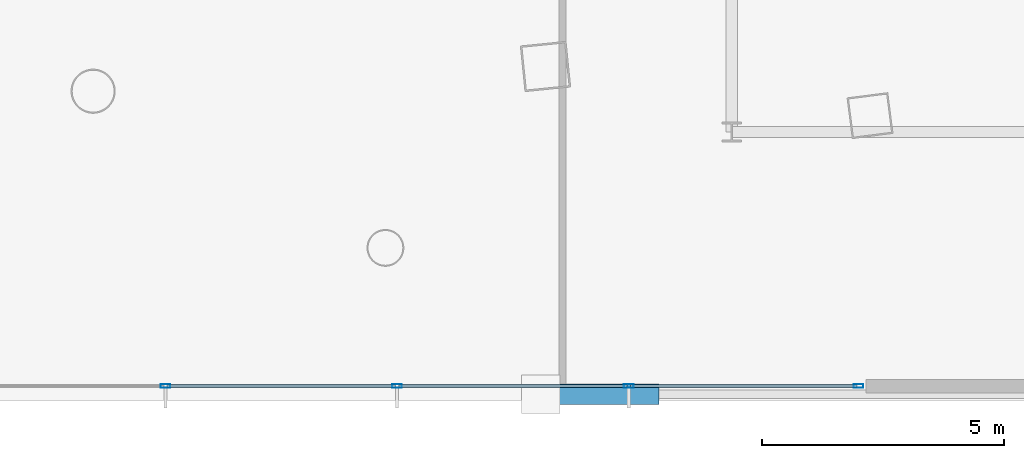
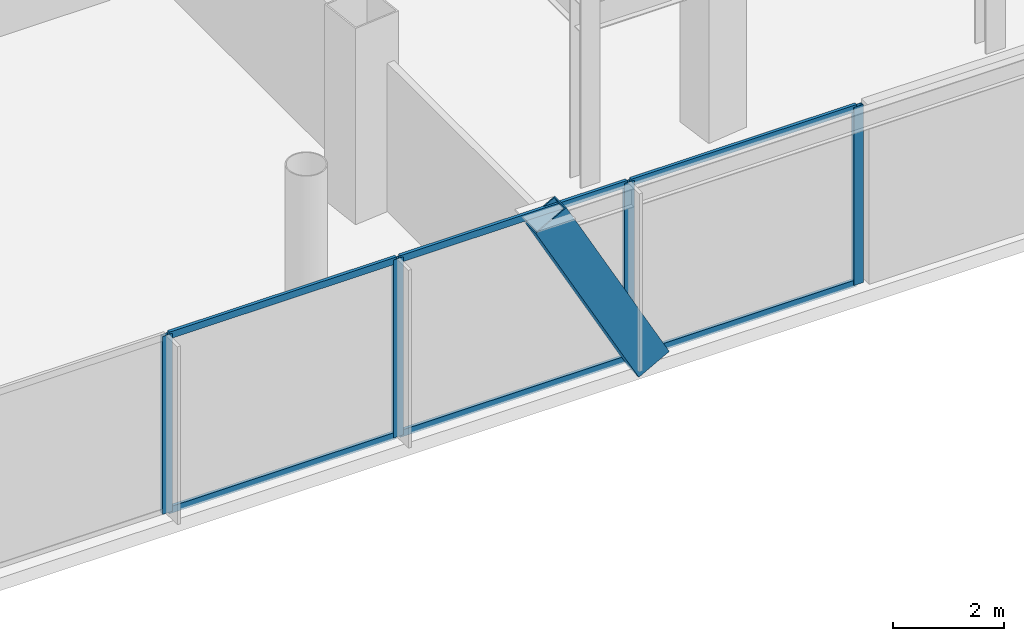
# One storey, part 13 of 46: 11 members, 1 element without a shape of its own.
"""IFC4 building model written with IfcOpenShell, lengths in metres."""

from ifc_helpers import new_model, si_unit, direction, frame, origin, origin_2d, place, context, subcontext, project, spatial, hollow_rectangle, extrude, material, layer, layer_set, material_profile, profile_set, type_object, element, aggregate, save


model = new_model("IFC4")

# Units and contexts
model_context = context("Model", 3, precision=1e-05, world=origin(), true_north=direction((0.0, 1.0)))
body_context = subcontext(model_context, "Body", "Model", "MODEL_VIEW")
ifc_project = project(units=[si_unit("LENGTHUNIT", "METRE"), si_unit("AREAUNIT", "SQUARE_METRE"), si_unit("VOLUMEUNIT", "CUBIC_METRE"), si_unit("PLANEANGLEUNIT", "RADIAN"), si_unit("MASSUNIT", "GRAM", prefix="KILO")], contexts=[model_context])

# Site, building, storey
site_placement = place(None, origin())
site = spatial("IfcSite", under=ifc_project, at=site_placement, CompositionType="ELEMENT")
building_placement = place(site_placement, origin())
building = spatial("IfcBuilding", under=site, at=building_placement, Name="Orvanel Arch Residences", CompositionType="ELEMENT")
storey_placement = place(building_placement, frame((0.0, 0.0, 14.10009765625)))
storey = spatial("IfcBuildingStorey", under=building, at=storey_placement, Name="L03", CompositionType="ELEMENT", Elevation=14.10009765625)

# Member
ifc_material_1 = material(Name="Structural steel AS/NZS 3678 Grade 350", Category="steel")
ifc_material_profile_1 = material_profile(ifc_material_1, hollow_rectangle(XDim=0.419921875, YDim=0.719970703125, WallThickness=0.02490234375, at=origin_2d()), Name="RHS720x420x25")
ifc_profile_set_1 = profile_set([ifc_material_profile_1], Name="Structural steel AS/NZS 3678 Grade 350")
member_type_1 = type_object("IfcMemberType", Name="BR-720RHS-EXT", PredefinedType="BRACE", material=ifc_profile_set_1)
member_1_placement = place(storey_placement, frame((44.384033203125, 0.580078125, 0.0), z_axis=(-0.480032945873, 0.0, 0.877250460745), x_axis=(0.0, -1.0, 0.0)))
element("IfcMember", 1, at=member_1_placement, inside=storey, type_object=member_type_1, Name="L03 Podium Multi-Storey V-Strut Pair SE Leg 1", PredefinedType="BRACE", context=body_context, shape_type="SweptSolid", body=[
    extrude(hollow_rectangle(XDim=0.419921875, YDim=0.719970703125, WallThickness=0.02490234375, at=origin_2d()), origin(), (0.0, 0.0, 1.0), 4.445556640625),
])

# Curtain wall, members
ifc_material_2 = material(Name="Bronze-anodised aluminium AA6063-T6", Category="aluminium")
ifc_layer = layer(ifc_material_2, 0.199951171875)
ifc_layer_set = layer_set([ifc_layer], Name="Bronze-anodised aluminium AA6063-T6")
curtain_wall_type = type_object("IfcCurtainWallType", Name="CW1-POD-SYS", PredefinedType="NOTDEFINED", material=ifc_layer_set)
curtain_wall_placement = place(storey_placement, origin())
curtain_wall = element("IfcCurtainWall", 2, at=curtain_wall_placement, inside=storey, type_object=curtain_wall_type, Name="L03 CW1-POD-SYS Unitised Curtain Wall", PredefinedType="NOTDEFINED")
ifc_material_profile_2 = material_profile(ifc_material_2, hollow_rectangle(XDim=0.074951171875, YDim=0.199951171875, WallThickness=0.0048828125, at=origin_2d()), Name="ALU200x75x5")
ifc_profile_set_2 = profile_set([ifc_material_profile_2], Name="Bronze-anodised aluminium AA6063-T6")
member_type_2 = type_object("IfcMemberType", Name="MUL-200x75", PredefinedType="MULLION", material=ifc_profile_set_2)
member_2_placement = place(storey_placement, frame((34.494384765625, 0.75, 0.0), z_axis=(0.0, 0.0, 1.0), x_axis=(0.0, 1.0, 0.0)))
member_2 = element("IfcMember", 3, at=member_2_placement, type_object=member_type_2, Name="CW-S1 mullion 5", PredefinedType="MULLION", context=body_context, shape_type="SweptSolid", body=[
    extrude(hollow_rectangle(XDim=0.074951171875, YDim=0.199951171875, WallThickness=0.0048828125, at=origin_2d()), origin(), (0.0, 0.0, 1.0), 3.89990234375),
])
member_3_placement = place(storey_placement, frame((39.282958984375, 0.75, 0.0), z_axis=(0.0, 0.0, 1.0), x_axis=(0.0, 1.0, 0.0)))
member_3 = element("IfcMember", 4, at=member_3_placement, type_object=member_type_2, Name="CW-S1 mullion 6", PredefinedType="MULLION", context=body_context, shape_type="SweptSolid", body=[
    extrude(hollow_rectangle(XDim=0.074951171875, YDim=0.199951171875, WallThickness=0.0048828125, at=origin_2d()), origin(), (0.0, 0.0, 1.0), 3.89990234375),
])
member_4_placement = place(storey_placement, frame((44.071533203125, 0.75, 0.0), z_axis=(0.0, 0.0, 1.0), x_axis=(0.0, 1.0, 0.0)))
member_4 = element("IfcMember", 5, at=member_4_placement, type_object=member_type_2, Name="CW-S1 mullion 7", PredefinedType="MULLION", context=body_context, shape_type="SweptSolid", body=[
    extrude(hollow_rectangle(XDim=0.074951171875, YDim=0.199951171875, WallThickness=0.0048828125, at=origin_2d()), origin(), (0.0, 0.0, 1.0), 3.89990234375),
])
member_5_placement = place(storey_placement, frame((48.822509765625, 0.75, 0.0), z_axis=(0.0, 0.0, 1.0), x_axis=(0.0, 1.0, 0.0)))
member_5 = element("IfcMember", 6, at=member_5_placement, type_object=member_type_2, Name="CW-S1 mullion 8", PredefinedType="MULLION", context=body_context, shape_type="SweptSolid", body=[
    extrude(hollow_rectangle(XDim=0.074951171875, YDim=0.199951171875, WallThickness=0.0048828125, at=origin_2d()), origin(), (0.0, 0.0, 1.0), 3.89990234375),
])
ifc_material_profile_3 = material_profile(ifc_material_2, hollow_rectangle(XDim=0.06494140625, YDim=0.14990234375, WallThickness=0.00390625, at=origin_2d()), Name="ALU150x65x4")
ifc_profile_set_3 = profile_set([ifc_material_profile_3], Name="Bronze-anodised aluminium AA6063-T6")
member_type_3 = type_object("IfcMemberType", Name="TRN-150x65", PredefinedType="USERDEFINED", material=ifc_profile_set_3)
member_6_placement = place(storey_placement, frame((34.53173828125, 0.75, 0.032470703125), z_axis=(1.0, 0.0, 0.0), x_axis=(0.0, 1.0, 0.0)))
member_6 = element("IfcMember", 7, at=member_6_placement, type_object=member_type_3, Name="CW-S1 transom 5.1", ObjectType="TRANSOM", PredefinedType="USERDEFINED", context=body_context, shape_type="SweptSolid", body=[
    extrude(hollow_rectangle(XDim=0.06494140625, YDim=0.14990234375, WallThickness=0.00390625, at=origin_2d()), origin(), (0.0, 0.0, 1.0), 4.713623046875),
])
member_7_placement = place(storey_placement, frame((34.53173828125, 0.75, 3.867431640625), z_axis=(1.0, 0.0, 0.0), x_axis=(0.0, 1.0, 0.0)))
member_7 = element("IfcMember", 8, at=member_7_placement, type_object=member_type_3, Name="CW-S1 transom 5.2", ObjectType="TRANSOM", PredefinedType="USERDEFINED", context=body_context, shape_type="SweptSolid", body=[
    extrude(hollow_rectangle(XDim=0.06494140625, YDim=0.14990234375, WallThickness=0.00390625, at=origin_2d()), origin(), (0.0, 0.0, 1.0), 4.713623046875),
])
member_8_placement = place(storey_placement, frame((39.3203125, 0.75, 0.032470703125), z_axis=(1.0, 0.0, 0.0), x_axis=(0.0, 1.0, 0.0)))
member_8 = element("IfcMember", 9, at=member_8_placement, type_object=member_type_3, Name="CW-S1 transom 6.1", ObjectType="TRANSOM", PredefinedType="USERDEFINED", context=body_context, shape_type="SweptSolid", body=[
    extrude(hollow_rectangle(XDim=0.06494140625, YDim=0.14990234375, WallThickness=0.00390625, at=origin_2d()), origin(), (0.0, 0.0, 1.0), 4.713623046875),
])
member_9_placement = place(storey_placement, frame((39.3203125, 0.75, 3.867431640625), z_axis=(1.0, 0.0, 0.0), x_axis=(0.0, 1.0, 0.0)))
member_9 = element("IfcMember", 10, at=member_9_placement, type_object=member_type_3, Name="CW-S1 transom 6.2", ObjectType="TRANSOM", PredefinedType="USERDEFINED", context=body_context, shape_type="SweptSolid", body=[
    extrude(hollow_rectangle(XDim=0.06494140625, YDim=0.14990234375, WallThickness=0.00390625, at=origin_2d()), origin(), (0.0, 0.0, 1.0), 4.713623046875),
])
member_10_placement = place(storey_placement, frame((44.10888671875, 0.75, 0.032470703125), z_axis=(1.0, 0.0, 0.0), x_axis=(0.0, 1.0, 0.0)))
member_10 = element("IfcMember", 11, at=member_10_placement, type_object=member_type_3, Name="CW-S1 transom 7.1", ObjectType="TRANSOM", PredefinedType="USERDEFINED", context=body_context, shape_type="SweptSolid", body=[
    extrude(hollow_rectangle(XDim=0.06494140625, YDim=0.14990234375, WallThickness=0.00390625, at=origin_2d()), origin(), (0.0, 0.0, 1.0), 4.676025390625),
])
member_11_placement = place(storey_placement, frame((44.10888671875, 0.75, 3.867431640625), z_axis=(1.0, 0.0, 0.0), x_axis=(0.0, 1.0, 0.0)))
member_11 = element("IfcMember", 12, at=member_11_placement, type_object=member_type_3, Name="CW-S1 transom 7.2", ObjectType="TRANSOM", PredefinedType="USERDEFINED", context=body_context, shape_type="SweptSolid", body=[
    extrude(hollow_rectangle(XDim=0.06494140625, YDim=0.14990234375, WallThickness=0.00390625, at=origin_2d()), origin(), (0.0, 0.0, 1.0), 4.676025390625),
])
aggregate(curtain_wall, [member_2, member_3, member_4, member_5, member_6, member_7, member_8, member_9, member_10, member_11])

save(model, "model.ifc")
